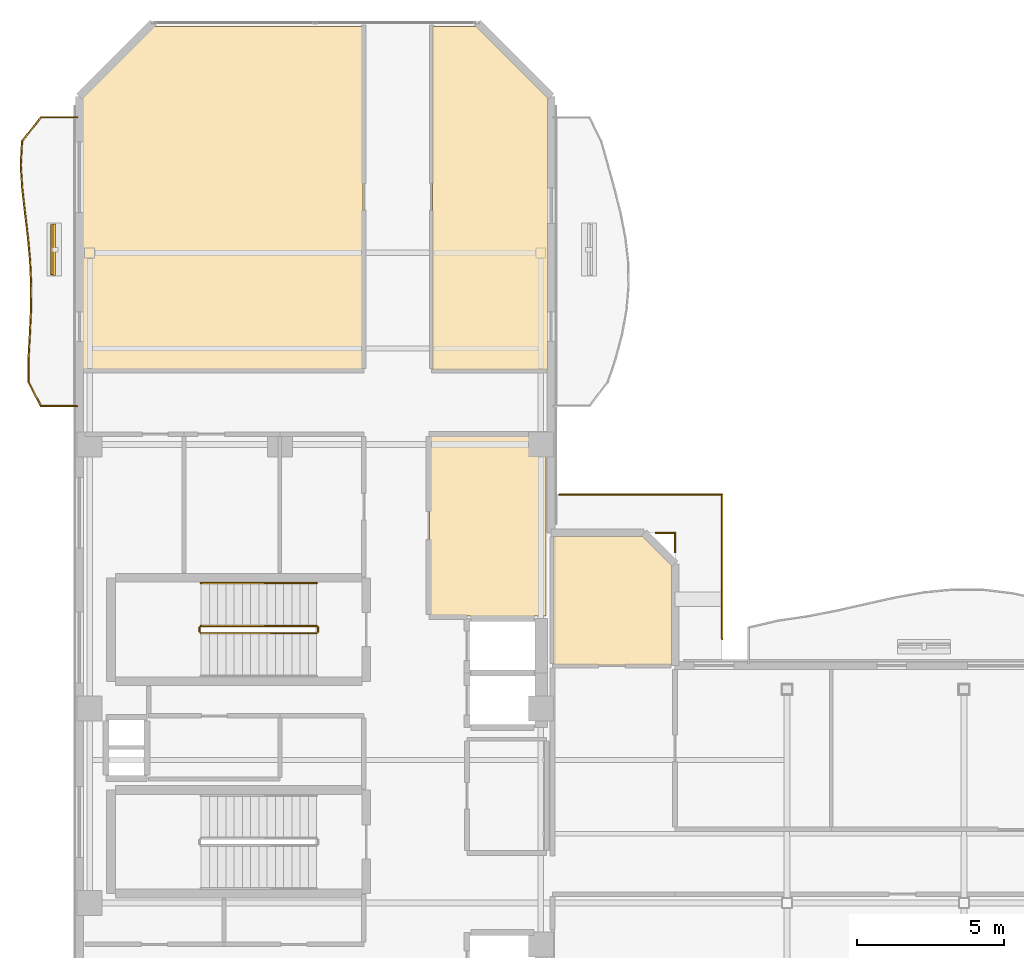
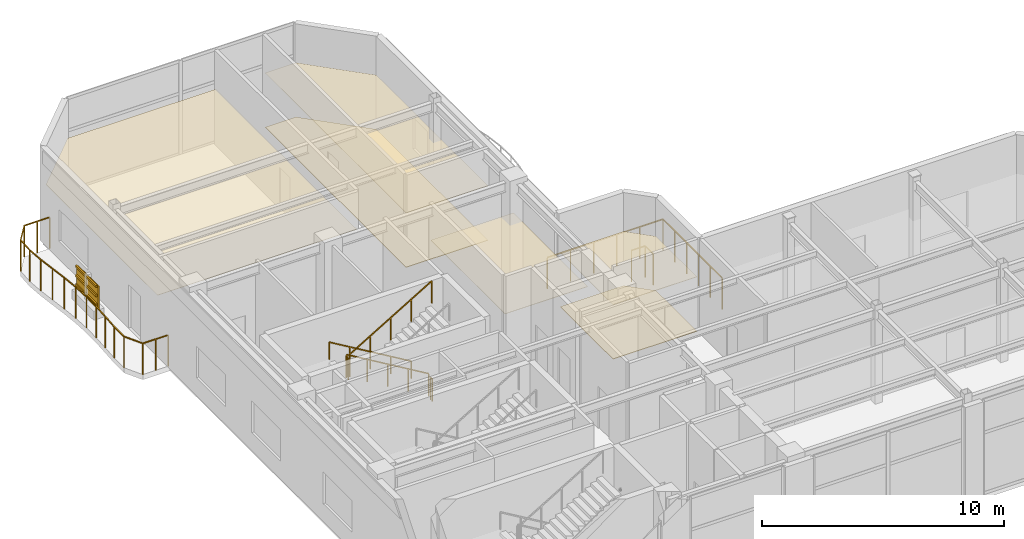
# One storey, part 15 of 16: 10 railings, 6 coverings, 4 shading devices.
"""IFC4 building model written with IfcOpenShell, lengths in metres."""

from ifc_helpers import new_model, si_unit, direction, frame, origin, origin_2d, place, context, subcontext, project, spatial, polyline, rectangle, outline, extrude, material, layer, layer_set, material_profile, profile_set, type_object, element, save


model = new_model("IFC4")

# Units and contexts
model_context = context("Model", 3, precision=1e-05, world=origin(), true_north=direction((0.0, 1.0)))
body_context = subcontext(model_context, "Body", "Model", "MODEL_VIEW")
ifc_project = project(units=[si_unit("LENGTHUNIT", "METRE"), si_unit("AREAUNIT", "SQUARE_METRE"), si_unit("VOLUMEUNIT", "CUBIC_METRE"), si_unit("PLANEANGLEUNIT", "RADIAN"), si_unit("MASSUNIT", "GRAM", prefix="KILO")], contexts=[model_context])

# Site, building, storey
site_placement = place(None, origin())
site = spatial("IfcSite", under=ifc_project, at=site_placement, CompositionType="ELEMENT")
building_placement = place(site_placement, origin())
building = spatial("IfcBuilding", under=site, at=building_placement, Name="Mawjaban Terraces University", CompositionType="ELEMENT")
storey_placement = place(building_placement, frame((0.0, 0.0, 311.699951171875)))
storey = spatial("IfcBuildingStorey", under=building, at=storey_placement, Name="L76", CompositionType="ELEMENT", Elevation=311.699951171875)

# Coverings
ifc_material_1 = material(Name="Acoustic mineral fibre ceiling tile", Category="masonry")
ifc_layer_1 = layer(ifc_material_1, 0.02001953125)
ifc_layer_set_1 = layer_set([ifc_layer_1], Name="Acoustic mineral fibre ceiling tile")
covering_type_1 = type_object("IfcCoveringType", Name="AcousticMineralCeiling_20", PredefinedType="CEILING", material=ifc_layer_set_1)
covering_1_placement = place(storey_placement, frame((0.0, 0.0, 2.75)))
element("IfcCovering", 1, at=covering_1_placement, inside=storey, type_object=covering_type_1, Name="L76 Lookout Exhibition Curatorial Studio Acoustic Ceiling", PredefinedType="CEILING", context=body_context, shape_type="SweptSolid", body=[
    extrude(outline(polyline([(37.820068359375, 17.679931640625), (37.820068359375, 23.820068359375), (33.8798828125, 23.820068359375), (33.8798828125, 17.679931640625), (37.820068359375, 17.679931640625)])), origin(), (0.0, 0.0, 1.0), 0.02001953125),
])
covering_2_placement = place(storey_placement, frame((0.0, 0.0, 2.75)))
element("IfcCovering", 2, at=covering_2_placement, inside=storey, type_object=covering_type_1, Name="L76 Lookout Terrace Vestibule Salon Acoustic Ceiling", PredefinedType="CEILING", context=body_context, shape_type="SweptSolid", body=[
    extrude(outline(polyline([(42.0849609375, 16.030029296875), (42.0849609375, 19.403076171875), (41.10302734375, 20.385009765625), (38.080078125, 20.385009765625), (38.080078125, 16.030029296875), (42.0849609375, 16.030029296875)])), origin(), (0.0, 0.0, 1.0), 0.02001953125),
])
covering_3_placement = place(storey_placement, frame((0.0, 0.0, 2.75)))
element("IfcCovering", 3, at=covering_3_placement, inside=storey, type_object=covering_type_1, Name="L76 Hijaz Topography Exhibition Hall Acoustic Ceiling", PredefinedType="CEILING", context=body_context, shape_type="SweptSolid", body=[
    extrude(outline(polyline([(31.6201171875, 37.68505859375), (24.547119140625, 37.68505859375), (22.114990234375, 35.2529296875), (22.114990234375, 26.030029296875), (31.6201171875, 26.030029296875), (31.6201171875, 37.68505859375)])), origin(), (0.0, 0.0, 1.0), 0.02001953125),
])
covering_4_placement = place(storey_placement, frame((0.0, 0.0, 2.75)))
element("IfcCovering", 4, at=covering_4_placement, inside=storey, type_object=covering_type_1, Name="L76 Sky Lookout Quiet Reading Gallery Acoustic Ceiling", PredefinedType="CEILING", context=body_context, shape_type="SweptSolid", body=[
    extrude(outline(polyline([(37.885009765625, 26.030029296875), (37.885009765625, 35.2529296875), (35.452880859375, 37.68505859375), (33.97998046875, 37.68505859375), (33.97998046875, 26.030029296875), (37.885009765625, 26.030029296875)])), origin(), (0.0, 0.0, 1.0), 0.02001953125),
])

# Railings
ifc_material_2 = material(Name="Galvanised powder-coated steel S355", Category="steel")
railing_type_1 = type_object("IfcRailingType", Name="BalconyBalustrade_1600", PredefinedType="BALUSTRADE", material=ifc_material_2)
railing_1_placement = place(storey_placement, frame((21.919921875, 24.800048828125, 0.0)))
element("IfcRailing", 5, at=railing_1_placement, inside=storey, type_object=railing_type_1, Name="L76 Balcony Guardrail west", PredefinedType="BALUSTRADE", context=body_context, shape_type="SweptSolid", body=[
    extrude(rectangle(XDim=0.048095703125, YDim=0.048095703125, at=origin_2d()), frame((0.0, 0.0, 1.576171875), z_axis=(-1.0, 0.0, 0.0), x_axis=(0.0, -1.0, 0.0)), (0.0, 0.0, 1.0), 1.219970703125),
    extrude(rectangle(XDim=0.048095703125, YDim=0.048095703125, at=origin_2d()), frame((-1.219970703125, 0.0, 1.576171875), z_axis=(-0.462412044153, 0.886665157442, 0.0), x_axis=(-0.886665157442, -0.462412044153, 0.0)), (0.0, 0.0, 1.0), 0.92138671875),
    extrude(rectangle(XDim=0.048095703125, YDim=0.048095703125, at=origin_2d()), frame((-1.64599609375, 0.81689453125, 1.576171875), z_axis=(0.002393053273, 0.999997136644, 0.0), x_axis=(-0.999997136644, 0.002393053273, 0.0)), (0.0, 0.0, 1.0), 0.816162109375),
    extrude(rectangle(XDim=0.048095703125, YDim=0.048095703125, at=origin_2d()), frame((-1.64404296875, 1.633056640625, 1.576171875), z_axis=(0.055205581793, 0.998475009071, 0.0), x_axis=(-0.998475009071, 0.055205581793, 0.0)), (0.0, 0.0, 1.0), 0.818115234375),
    extrude(rectangle(XDim=0.048095703125, YDim=0.048095703125, at=origin_2d()), frame((-1.598876953125, 2.449951171875, 1.576171875), z_axis=(0.046274345234, 0.998928768718, 0.0), x_axis=(-0.998928768718, 0.046274345234, 0.0)), (0.0, 0.0, 1.0), 0.81787109375),
    extrude(rectangle(XDim=0.048095703125, YDim=0.048095703125, at=origin_2d()), frame((-1.56103515625, 3.266845703125, 1.576171875), z_axis=(0.00867451657, 0.999962375673, 0.0), x_axis=(-0.999962375673, 0.00867451657, 0.0)), (0.0, 0.0, 1.0), 0.816162109375),
    extrude(rectangle(XDim=0.048095703125, YDim=0.048095703125, at=origin_2d()), frame((-1.553955078125, 4.0830078125, 1.576171875), z_axis=(-0.042698620358, 0.999087998036, 0.0), x_axis=(-0.999087998036, -0.042698620358, 0.0)), (0.0, 0.0, 1.0), 0.817626953125),
    extrude(rectangle(XDim=0.048095703125, YDim=0.048095703125, at=origin_2d()), frame((-1.5888671875, 4.89990234375, 1.576171875), z_axis=(-0.090160133356, 0.995927281659, 0.0), x_axis=(-0.995927281659, -0.090160133356, 0.0)), (0.0, 0.0, 1.0), 0.820556640625),
    extrude(rectangle(XDim=0.048095703125, YDim=0.048095703125, at=origin_2d()), frame((-1.662841796875, 5.717041015625, 1.576171875), z_axis=(-0.118254742594, 0.992983290823, 0.0), x_axis=(-0.992983290823, -0.118254742594, 0.0)), (0.0, 0.0, 1.0), 0.82177734375),
    extrude(rectangle(XDim=0.048095703125, YDim=0.048095703125, at=origin_2d()), frame((-1.760009765625, 6.532958984375, 1.576171875), z_axis=(-0.114308559001, 0.993445294588, 0.0), x_axis=(-0.993445294588, -0.114308559001, 0.0)), (0.0, 0.0, 1.0), 0.822265625),
    extrude(rectangle(XDim=0.048095703125, YDim=0.048095703125, at=origin_2d()), frame((-1.85400390625, 7.349853515625, 1.576171875), z_axis=(-0.065885809516, 0.997827169456, 0.0), x_axis=(-0.997827169456, -0.065885809516, 0.0)), (0.0, 0.0, 1.0), 0.81884765625),
    extrude(rectangle(XDim=0.048095703125, YDim=0.048095703125, at=origin_2d()), frame((-1.907958984375, 8.1669921875, 1.576171875), z_axis=(0.052590199678, 0.998616177967, 0.0), x_axis=(-0.998616177967, 0.052590199678, 0.0)), (0.0, 0.0, 1.0), 0.817138671875),
    extrude(rectangle(XDim=0.048095703125, YDim=0.048095703125, at=origin_2d()), frame((-1.864990234375, 8.98291015625, 1.576171875), z_axis=(0.619591060845, 0.784924784499, 0.0), x_axis=(-0.784924784499, 0.619591060845, 0.0)), (0.0, 0.0, 1.0), 1.041015625),
    extrude(rectangle(XDim=0.048095703125, YDim=0.048095703125, at=origin_2d()), frame((-1.219970703125, 9.800048828125, 1.576171875), z_axis=(1.0, 0.0, 0.0), x_axis=(0.0, 1.0, 0.0)), (0.0, 0.0, 1.0), 1.219970703125),
    extrude(rectangle(XDim=0.0419921875, YDim=0.0419921875, at=origin_2d()), origin(), (0.0, 0.0, 1.0), 1.552001953125),
    extrude(rectangle(XDim=0.0419921875, YDim=0.0419921875, at=origin_2d()), frame((-0.60986328125, 0.0, 0.0)), (0.0, 0.0, 1.0), 1.552001953125),
    extrude(rectangle(XDim=0.0419921875, YDim=0.0419921875, at=origin_2d()), frame((-1.219970703125, 0.0, 0.0)), (0.0, 0.0, 1.0), 1.552001953125),
    extrude(rectangle(XDim=0.0419921875, YDim=0.0419921875, at=origin_2d()), frame((-1.64599609375, 0.81689453125, 0.0)), (0.0, 0.0, 1.0), 1.552001953125),
    extrude(rectangle(XDim=0.0419921875, YDim=0.0419921875, at=origin_2d()), frame((-1.64404296875, 1.633056640625, 0.0)), (0.0, 0.0, 1.0), 1.552001953125),
    extrude(rectangle(XDim=0.0419921875, YDim=0.0419921875, at=origin_2d()), frame((-1.598876953125, 2.449951171875, 0.0)), (0.0, 0.0, 1.0), 1.552001953125),
    extrude(rectangle(XDim=0.0419921875, YDim=0.0419921875, at=origin_2d()), frame((-1.56103515625, 3.266845703125, 0.0)), (0.0, 0.0, 1.0), 1.552001953125),
    extrude(rectangle(XDim=0.0419921875, YDim=0.0419921875, at=origin_2d()), frame((-1.553955078125, 4.0830078125, 0.0)), (0.0, 0.0, 1.0), 1.552001953125),
    extrude(rectangle(XDim=0.0419921875, YDim=0.0419921875, at=origin_2d()), frame((-1.5888671875, 4.89990234375, 0.0)), (0.0, 0.0, 1.0), 1.552001953125),
    extrude(rectangle(XDim=0.0419921875, YDim=0.0419921875, at=origin_2d()), frame((-1.662841796875, 5.717041015625, 0.0)), (0.0, 0.0, 1.0), 1.552001953125),
    extrude(rectangle(XDim=0.0419921875, YDim=0.0419921875, at=origin_2d()), frame((-1.760009765625, 6.532958984375, 0.0)), (0.0, 0.0, 1.0), 1.552001953125),
    extrude(rectangle(XDim=0.0419921875, YDim=0.0419921875, at=origin_2d()), frame((-1.85400390625, 7.349853515625, 0.0)), (0.0, 0.0, 1.0), 1.552001953125),
    extrude(rectangle(XDim=0.0419921875, YDim=0.0419921875, at=origin_2d()), frame((-1.907958984375, 8.1669921875, 0.0)), (0.0, 0.0, 1.0), 1.552001953125),
    extrude(rectangle(XDim=0.0419921875, YDim=0.0419921875, at=origin_2d()), frame((-1.864990234375, 8.98291015625, 0.0)), (0.0, 0.0, 1.0), 1.552001953125),
    extrude(rectangle(XDim=0.0419921875, YDim=0.0419921875, at=origin_2d()), frame((-1.219970703125, 9.800048828125, 0.0)), (0.0, 0.0, 1.0), 1.552001953125),
    extrude(rectangle(XDim=0.0419921875, YDim=0.0419921875, at=origin_2d()), frame((-0.60986328125, 9.800048828125, 0.0)), (0.0, 0.0, 1.0), 1.552001953125),
    extrude(rectangle(XDim=0.0419921875, YDim=0.0419921875, at=origin_2d()), frame((0.0, 9.800048828125, 0.0)), (0.0, 0.0, 1.0), 1.552001953125),
])
railing_2_placement = place(storey_placement, frame((43.800048828125, 16.908935546875, 0.0)))
element("IfcRailing", 6, at=railing_2_placement, inside=storey, type_object=railing_type_1, Name="L76 Terrace Guardrail TER-L76-LOOKOUT.1", PredefinedType="BALUSTRADE", context=body_context, shape_type="SweptSolid", body=[
    extrude(rectangle(XDim=0.048095703125, YDim=0.048095703125, at=origin_2d()), frame((0.0, 0.0, 1.576171875), z_axis=(0.0, 1.0, 0.0), x_axis=(-1.0, 0.0, 0.0)), (0.0, 0.0, 1.0), 4.89111328125),
    extrude(rectangle(XDim=0.0419921875, YDim=0.0419921875, at=origin_2d()), origin(), (0.0, 0.0, 1.0), 1.552001953125),
    extrude(rectangle(XDim=0.0419921875, YDim=0.0419921875, at=origin_2d()), frame((0.0, 0.978271484375, 0.0)), (0.0, 0.0, 1.0), 1.552001953125),
    extrude(rectangle(XDim=0.0419921875, YDim=0.0419921875, at=origin_2d()), frame((0.0, 1.95654296875, 0.0)), (0.0, 0.0, 1.0), 1.552001953125),
    extrude(rectangle(XDim=0.0419921875, YDim=0.0419921875, at=origin_2d()), frame((0.0, 2.9345703125, 0.0)), (0.0, 0.0, 1.0), 1.552001953125),
    extrude(rectangle(XDim=0.0419921875, YDim=0.0419921875, at=origin_2d()), frame((0.0, 3.912841796875, 0.0)), (0.0, 0.0, 1.0), 1.552001953125),
    extrude(rectangle(XDim=0.0419921875, YDim=0.0419921875, at=origin_2d()), frame((0.0, 4.89111328125, 0.0)), (0.0, 0.0, 1.0), 1.552001953125),
])
railing_3_placement = place(storey_placement, frame((43.800048828125, 21.800048828125, 0.0)))
element("IfcRailing", 7, at=railing_3_placement, inside=storey, type_object=railing_type_1, Name="L76 Terrace Guardrail TER-L76-LOOKOUT.2", PredefinedType="BALUSTRADE", context=body_context, shape_type="SweptSolid", body=[
    extrude(rectangle(XDim=0.048095703125, YDim=0.048095703125, at=origin_2d()), frame((0.0, 0.0, 1.576171875), z_axis=(-1.0, 0.0, 0.0), x_axis=(0.0, -1.0, 0.0)), (0.0, 0.0, 1.0), 5.52001953125),
    extrude(rectangle(XDim=0.0419921875, YDim=0.0419921875, at=origin_2d()), origin(), (0.0, 0.0, 1.0), 1.552001953125),
    extrude(rectangle(XDim=0.0419921875, YDim=0.0419921875, at=origin_2d()), frame((-1.10400390625, 0.0, 0.0)), (0.0, 0.0, 1.0), 1.552001953125),
    extrude(rectangle(XDim=0.0419921875, YDim=0.0419921875, at=origin_2d()), frame((-2.2080078125, 0.0, 0.0)), (0.0, 0.0, 1.0), 1.552001953125),
    extrude(rectangle(XDim=0.0419921875, YDim=0.0419921875, at=origin_2d()), frame((-3.31201171875, 0.0, 0.0)), (0.0, 0.0, 1.0), 1.552001953125),
    extrude(rectangle(XDim=0.0419921875, YDim=0.0419921875, at=origin_2d()), frame((-4.416015625, 0.0, 0.0)), (0.0, 0.0, 1.0), 1.552001953125),
    extrude(rectangle(XDim=0.0419921875, YDim=0.0419921875, at=origin_2d()), frame((-5.52001953125, 0.0, 0.0)), (0.0, 0.0, 1.0), 1.552001953125),
])
railing_4_placement = place(storey_placement, frame((41.5458984375, 20.5, 0.0)))
element("IfcRailing", 8, at=railing_4_placement, inside=storey, type_object=railing_type_1, Name="L76 Terrace Guardrail TER-L76-LOOKOUT.3", PredefinedType="BALUSTRADE", context=body_context, shape_type="SweptSolid", body=[
    extrude(rectangle(XDim=0.048095703125, YDim=0.048095703125, at=origin_2d()), frame((0.0, 0.0, 1.576171875), z_axis=(1.0, 0.0, 0.0), x_axis=(0.0, 1.0, 0.0)), (0.0, 0.0, 1.0), 0.654052734375),
    extrude(rectangle(XDim=0.0419921875, YDim=0.0419921875, at=origin_2d()), origin(), (0.0, 0.0, 1.0), 1.552001953125),
    extrude(rectangle(XDim=0.0419921875, YDim=0.0419921875, at=origin_2d()), frame((0.654052734375, 0.0, 0.0)), (0.0, 0.0, 1.0), 1.552001953125),
])
railing_5_placement = place(storey_placement, frame((42.199951171875, 20.5, 0.0)))
element("IfcRailing", 9, at=railing_5_placement, inside=storey, type_object=railing_type_1, Name="L76 Terrace Guardrail TER-L76-LOOKOUT.4", PredefinedType="BALUSTRADE", context=body_context, shape_type="SweptSolid", body=[
    extrude(rectangle(XDim=0.048095703125, YDim=0.048095703125, at=origin_2d()), frame((0.0, 0.0, 1.576171875), z_axis=(0.0, -1.0, 0.0), x_axis=(1.0, 0.0, 0.0)), (0.0, 0.0, 1.0), 0.654052734375),
    extrude(rectangle(XDim=0.0419921875, YDim=0.0419921875, at=origin_2d()), origin(), (0.0, 0.0, 1.0), 1.552001953125),
    extrude(rectangle(XDim=0.0419921875, YDim=0.0419921875, at=origin_2d()), frame((0.0, -0.654052734375, 0.0)), (0.0, 0.0, 1.0), 1.552001953125),
])
ifc_material_3 = material(Name="Brushed stainless steel 316", Category="steel")
railing_type_2 = type_object("IfcRailingType", Name="StairWallHandrail_900", PredefinedType="HANDRAIL", material=ifc_material_3)
railing_6_placement = place(storey_placement, frame((30.050048828125, 18.800048828125, 0.166748046875)))
element("IfcRailing", 10, at=railing_6_placement, inside=storey, type_object=railing_type_2, Name="L76 ST-2 stair handrail 1", PredefinedType="HANDRAIL", context=body_context, shape_type="SweptSolid", body=[
    extrude(rectangle(XDim=0.048095703125, YDim=0.048095703125, at=origin_2d()), frame((0.0, 0.0, 0.8759765625), z_axis=(-0.859310244771, 0.0, 0.511454693235), x_axis=(0.0, -1.0, 0.0)), (0.0, 0.0, 1.0), 4.56201171875),
    extrude(rectangle(XDim=0.0419921875, YDim=0.0419921875, at=origin_2d()), origin(), (0.0, 0.0, 1.0), 0.851806640625),
    extrude(rectangle(XDim=0.0419921875, YDim=0.0419921875, at=origin_2d()), frame((-0.97998046875, 0.0, 0.583251953125)), (0.0, 0.0, 1.0), 0.851806640625),
    extrude(rectangle(XDim=0.0419921875, YDim=0.0419921875, at=origin_2d()), frame((-1.9599609375, 0.0, 1.16650390625)), (0.0, 0.0, 1.0), 0.851806640625),
    extrude(rectangle(XDim=0.0419921875, YDim=0.0419921875, at=origin_2d()), frame((-2.940185546875, 0.0, 1.75)), (0.0, 0.0, 1.0), 0.851806640625),
    extrude(rectangle(XDim=0.0419921875, YDim=0.0419921875, at=origin_2d()), frame((-3.920166015625, 0.0, 2.333251953125)), (0.0, 0.0, 1.0), 0.851806640625),
])
ifc_material_4 = material(Name="Galvanised painted steel S355", Category="steel")
railing_type_3 = type_object("IfcRailingType", Name="StairWellGuard_1150", PredefinedType="BALUSTRADE", material=ifc_material_4)
railing_7_placement = place(storey_placement, frame((30.050048828125, 17.35009765625, 0.166748046875)))
element("IfcRailing", 11, at=railing_7_placement, inside=storey, type_object=railing_type_3, Name="L76 ST-2 stair guard 1", PredefinedType="BALUSTRADE", context=body_context, shape_type="SweptSolid", body=[
    extrude(rectangle(XDim=0.048095703125, YDim=0.048095703125, at=origin_2d()), frame((0.0, 0.0, 1.1259765625), z_axis=(-0.859310244771, 0.0, 0.511454693235), x_axis=(0.0, -1.0, 0.0)), (0.0, 0.0, 1.0), 4.56201171875),
    extrude(rectangle(XDim=0.0419921875, YDim=0.0419921875, at=origin_2d()), origin(), (0.0, 0.0, 1.0), 1.101806640625),
    extrude(rectangle(XDim=0.0419921875, YDim=0.0419921875, at=origin_2d()), frame((-0.97998046875, 0.0, 0.583251953125)), (0.0, 0.0, 1.0), 1.101806640625),
    extrude(rectangle(XDim=0.0419921875, YDim=0.0419921875, at=origin_2d()), frame((-1.9599609375, 0.0, 1.16650390625)), (0.0, 0.0, 1.0), 1.101806640625),
    extrude(rectangle(XDim=0.0419921875, YDim=0.0419921875, at=origin_2d()), frame((-2.940185546875, 0.0, 1.75)), (0.0, 0.0, 1.0), 1.101806640625),
    extrude(rectangle(XDim=0.0419921875, YDim=0.0419921875, at=origin_2d()), frame((-3.920166015625, 0.0, 2.333251953125)), (0.0, 0.0, 1.0), 1.101806640625),
])
railing_8_placement = place(storey_placement, frame((26.080078125, 17.300048828125, 2.5)))
element("IfcRailing", 12, at=railing_8_placement, inside=storey, type_object=railing_type_3, Name="L76 ST-2 stair guard 2", PredefinedType="BALUSTRADE", context=body_context, shape_type="SweptSolid", body=[
    extrude(rectangle(XDim=0.048095703125, YDim=0.048095703125, at=origin_2d()), frame((0.0, 0.0, 1.1259765625), z_axis=(0.0, -1.0, 0.0), x_axis=(1.0, 0.0, 0.0)), (0.0, 0.0, 1.0), 0.150146484375),
    extrude(rectangle(XDim=0.0419921875, YDim=0.0419921875, at=origin_2d()), origin(), (0.0, 0.0, 1.0), 1.101806640625),
    extrude(rectangle(XDim=0.0419921875, YDim=0.0419921875, at=origin_2d()), frame((0.0, -0.150146484375, 0.0)), (0.0, 0.0, 1.0), 1.101806640625),
])
railing_9_placement = place(storey_placement, frame((26.1298828125, 17.10009765625, 2.666748046875)))
element("IfcRailing", 13, at=railing_9_placement, inside=storey, type_object=railing_type_3, Name="L76 ST-2 stair guard 3", PredefinedType="BALUSTRADE", context=body_context, shape_type="SweptSolid", body=[
    extrude(rectangle(XDim=0.048095703125, YDim=0.048095703125, at=origin_2d()), frame((0.0, 0.0, 1.1259765625), z_axis=(0.859310244771, 0.0, 0.511454693235), x_axis=(0.0, 1.0, 0.0)), (0.0, 0.0, 1.0), 4.56201171875),
    extrude(rectangle(XDim=0.0419921875, YDim=0.0419921875, at=origin_2d()), origin(), (0.0, 0.0, 1.0), 1.101806640625),
    extrude(rectangle(XDim=0.0419921875, YDim=0.0419921875, at=origin_2d()), frame((0.97998046875, 0.0, 0.583251953125)), (0.0, 0.0, 1.0), 1.101806640625),
    extrude(rectangle(XDim=0.0419921875, YDim=0.0419921875, at=origin_2d()), frame((1.9599609375, 0.0, 1.16650390625)), (0.0, 0.0, 1.0), 1.101806640625),
    extrude(rectangle(XDim=0.0419921875, YDim=0.0419921875, at=origin_2d()), frame((2.940185546875, 0.0, 1.75)), (0.0, 0.0, 1.0), 1.101806640625),
    extrude(rectangle(XDim=0.0419921875, YDim=0.0419921875, at=origin_2d()), frame((3.920166015625, 0.0, 2.333251953125)), (0.0, 0.0, 1.0), 1.101806640625),
])
railing_10_placement = place(storey_placement, frame((30.10009765625, 17.300048828125, 0.0)))
element("IfcRailing", 14, at=railing_10_placement, inside=storey, type_object=railing_type_3, Name="L76 ST-2 stair guard 4", PredefinedType="BALUSTRADE", context=body_context, shape_type="SweptSolid", body=[
    extrude(rectangle(XDim=0.048095703125, YDim=0.048095703125, at=origin_2d()), frame((0.0, 0.0, 1.1259765625), z_axis=(0.0, -1.0, 0.0), x_axis=(1.0, 0.0, 0.0)), (0.0, 0.0, 1.0), 0.150146484375),
    extrude(rectangle(XDim=0.0419921875, YDim=0.0419921875, at=origin_2d()), origin(), (0.0, 0.0, 1.0), 1.101806640625),
    extrude(rectangle(XDim=0.0419921875, YDim=0.0419921875, at=origin_2d()), frame((0.0, -0.150146484375, 0.0)), (0.0, 0.0, 1.0), 1.101806640625),
])

# Shading devices
ifc_material_5 = material(Name="Glazed architectural terracotta ceramic", Category="masonry")
ifc_material_profile = material_profile(ifc_material_5, rectangle(XDim=0.06494140625, YDim=0.110107421875, at=origin_2d()), Name="TBAG110X65")
ifc_profile_set = profile_set([ifc_material_profile], Name="Glazed architectural terracotta ceramic")
shading_device_type_1 = type_object("IfcShadingDeviceType", Name="TerracottaBaguette_110x65", PredefinedType="USERDEFINED", material=ifc_profile_set)
for number, where, z_axis, x_axis, name in (
    (15, (21.06689453125, 29.258056640625, 0.679931640625), (0.0, 1.0, 0.0), (-1.0, 0.0, 0.0), "L76 Horizontal Terracotta Baguette west.1"),
    (16, (21.06689453125, 29.258056640625, 1.150146484375), (0.0, 1.0, 0.0), (-1.0, 0.0, 0.0), "L76 Horizontal Terracotta Baguette west.2"),
    (17, (21.06689453125, 29.258056640625, 1.6201171875), (0.0, 1.0, 0.0), (-1.0, 0.0, 0.0), "L76 Horizontal Terracotta Baguette west.3"),
):
    element("IfcShadingDevice", number, at=place(storey_placement, frame(where, z_axis=z_axis, x_axis=x_axis)), inside=storey, type_object=shading_device_type_1, Name=name, ObjectType="BAGUETTE", PredefinedType="USERDEFINED", context=body_context, shape_type="SweptSolid", body=[
        extrude(rectangle(XDim=0.06494140625, YDim=0.110107421875, at=origin_2d()), origin(), (0.0, 0.0, 1.0), 1.699951171875),
    ])
ifc_layer_2 = layer(ifc_material_5, 0.080078125)
ifc_layer_set_2 = layer_set([ifc_layer_2], Name="Glazed architectural terracotta ceramic")
shading_device_type_2 = type_object("IfcShadingDeviceType", Name="TerracottaScreen_Perforated", PredefinedType="USERDEFINED", material=ifc_layer_set_2)
shading_device_placement = place(storey_placement, frame((21.152099609375, 30.10791015625, 0.440185546875), z_axis=(0.0, 0.0, 1.0), x_axis=(0.0, 1.0, 0.0)))
element("IfcShadingDevice", 18, at=shading_device_placement, inside=storey, type_object=shading_device_type_2, Name="L76 Balcony Perforated Terracotta Screen west", ObjectType="SCREEN", PredefinedType="USERDEFINED", context=body_context, shape_type="SweptSolid", body=[
    extrude(rectangle(XDim=1.75, YDim=0.080078125, at=origin_2d()), origin(), (0.0, 0.0, 1.0), 1.14990234375),
])

# Coverings
ifc_material_6 = material(Name="Polished Hijazi granite terrazzo flooring", Category="masonry")
ifc_layer_3 = layer(ifc_material_6, 0.02490234375)
ifc_layer_set_3 = layer_set([ifc_layer_3], Name="Polished Hijazi granite terrazzo flooring")
covering_type_2 = type_object("IfcCoveringType", Name="TerrazzoConcourseFlooring_25", PredefinedType="FLOORING", material=ifc_layer_set_3)
covering_5_placement = place(storey_placement, origin())
element("IfcCovering", 19, at=covering_5_placement, inside=storey, type_object=covering_type_2, Name="L76 Lookout Terrace Vestibule Salon Terrazzo Flooring", PredefinedType="FLOORING", context=body_context, shape_type="SweptSolid", body=[
    extrude(outline(polyline([(42.0849609375, 16.030029296875), (42.0849609375, 19.403076171875), (41.10302734375, 20.385009765625), (38.080078125, 20.385009765625), (38.080078125, 16.030029296875), (42.0849609375, 16.030029296875)])), origin(), (0.0, 0.0, 1.0), 0.025146484375),
])
covering_6_placement = place(storey_placement, origin())
element("IfcCovering", 20, at=covering_6_placement, inside=storey, type_object=covering_type_2, Name="L76 Sky Lookout Quiet Reading Gallery Terrazzo Flooring", PredefinedType="FLOORING", context=body_context, shape_type="SweptSolid", body=[
    extrude(outline(polyline([(37.885009765625, 26.030029296875), (37.885009765625, 35.2529296875), (35.452880859375, 37.68505859375), (33.97998046875, 37.68505859375), (33.97998046875, 26.030029296875), (37.885009765625, 26.030029296875)])), origin(), (0.0, 0.0, 1.0), 0.025146484375),
])

save(model, "model.ifc")
